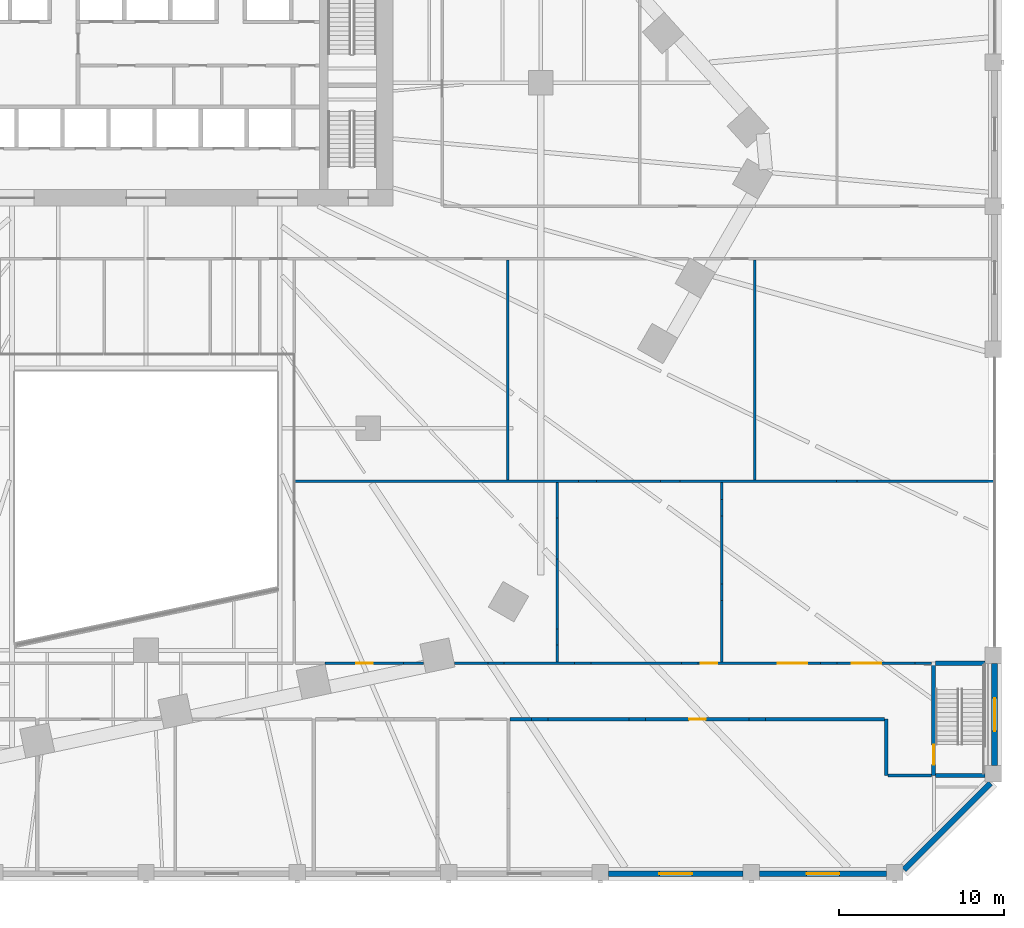
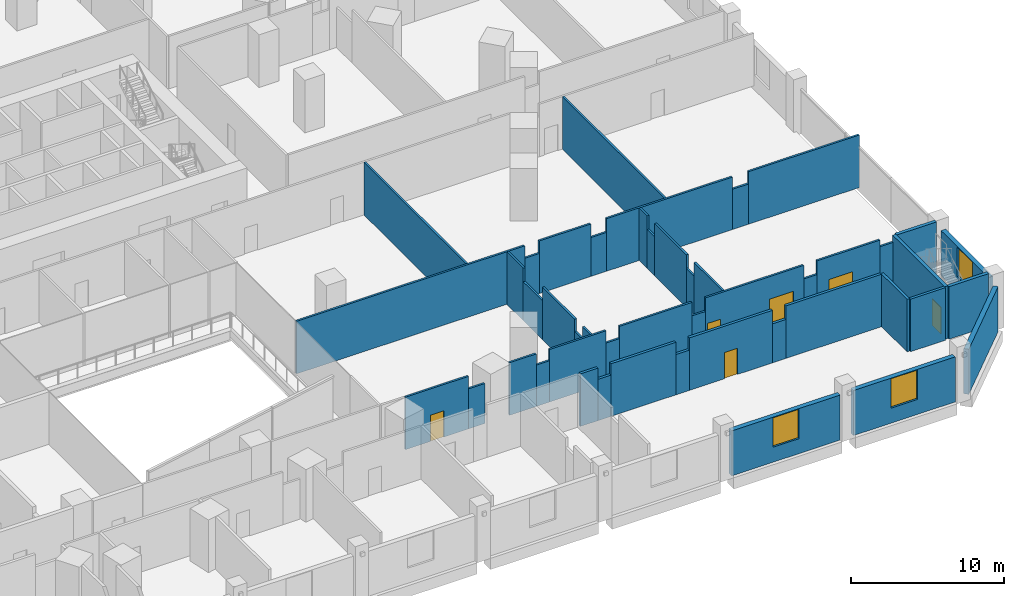
# One storey, part 18 of 33: 47 walls, 6 doors, 3 windows, 9 openings.
"""IFC4 building model written with IfcOpenShell, lengths in metres."""

from ifc_helpers import new_model, si_unit, direction, frame, frame_2d, origin, place, context, subcontext, project, spatial, rectangle, extrude, material, layer, layer_set, type_object, element, fill, save


model = new_model("IFC4")

# Units and contexts
model_context = context("Model", 3, precision=1e-05, world=origin(), true_north=direction((0.0, 1.0)))
body_context = subcontext(model_context, "Body", "Model", "MODEL_VIEW")
ifc_project = project(units=[si_unit("LENGTHUNIT", "METRE"), si_unit("AREAUNIT", "SQUARE_METRE"), si_unit("VOLUMEUNIT", "CUBIC_METRE"), si_unit("PLANEANGLEUNIT", "RADIAN"), si_unit("MASSUNIT", "GRAM", prefix="KILO")], contexts=[model_context])

# Site, building, storey
site_placement = place(None, origin())
site = spatial("IfcSite", under=ifc_project, at=site_placement, CompositionType="ELEMENT")
building_placement = place(site_placement, origin())
building = spatial("IfcBuilding", under=site, at=building_placement, Name="Isthmus Gate Tower", CompositionType="ELEMENT")
storey_placement = place(building_placement, frame((0.0, 0.0, 22.5)))
storey = spatial("IfcBuildingStorey", under=building, at=storey_placement, Name="L03", CompositionType="ELEMENT", Elevation=22.5)

# Walls
ifc_material_1 = material(Name="Concrete f'c 30 MPa", Category="concrete")
ifc_layer_1 = layer(ifc_material_1, 0.199951171875)
ifc_layer_set_1 = layer_set([ifc_layer_1], Name="Fire-rated block wall 200")
wall_type_1 = type_object("IfcWallType", Name="Fire-rated block wall 200", PredefinedType="PARTITIONING", material=ifc_layer_set_1)
wall_1_placement = place(storey_placement, frame((45.10009765625, -34.60009765625, 0.0), z_axis=(0.0, 0.0, 1.0), x_axis=(1.0, 0.0, 0.0)))
element("IfcWall", 1, at=wall_1_placement, inside=storey, type_object=wall_type_1, Name="Fire-rated wall", PredefinedType="PARTITIONING", context=body_context, shape_type="SweptSolid", body=[
    extrude(rectangle(XDim=2.64990234375, YDim=0.199951171875, at=frame_2d((1.324951171875, 0.0))), origin(), (0.0, 0.0, 1.0), 4.199951171875),
])
wall_2_placement = place(storey_placement, frame((22.132080078125, -31.178955078125, 0.0), z_axis=(0.0, 0.0, 1.0), x_axis=(1.0, 0.0, 0.0)))
element("IfcWall", 2, at=wall_2_placement, inside=storey, type_object=wall_type_1, Name="Fire-rated wall", PredefinedType="PARTITIONING", context=body_context, shape_type="SweptSolid", body=[
    extrude(rectangle(XDim=1.309814453125, YDim=0.199951171875, at=frame_2d((0.65478515625, 0.0))), origin(), (0.0, 0.0, 1.0), 4.199951171875),
])
wall_3_placement = place(storey_placement, frame((23.44189453125, -31.178955078125, 0.0), z_axis=(0.0, 0.0, 1.0), x_axis=(1.0, 0.0, 0.0)))
element("IfcWall", 3, at=wall_3_placement, inside=storey, type_object=wall_type_1, Name="Fire-rated wall", PredefinedType="PARTITIONING", context=body_context, shape_type="SweptSolid", body=[
    extrude(rectangle(XDim=1.0, YDim=0.199951171875, at=frame_2d((0.5, 0.0))), origin(), (0.0, 0.0, 1.0), 3.29833984375),
])
wall_4_placement = place(storey_placement, frame((24.44189453125, -31.178955078125, 0.0), z_axis=(0.0, 0.0, 1.0), x_axis=(1.0, 0.0, 0.0)))
element("IfcWall", 4, at=wall_4_placement, inside=storey, type_object=wall_type_1, Name="Fire-rated wall", PredefinedType="PARTITIONING", context=body_context, shape_type="SweptSolid", body=[
    extrude(rectangle(XDim=4.920654296875, YDim=0.199951171875, at=frame_2d((2.46044921875, 0.0))), origin(), (0.0, 0.0, 1.0), 4.199951171875),
])
wall_5_placement = place(storey_placement, frame((29.362548828125, -31.178955078125, 0.0), z_axis=(0.0, 0.0, 1.0), x_axis=(1.0, 0.0, 0.0)))
element("IfcWall", 5, at=wall_5_placement, inside=storey, type_object=wall_type_1, Name="Fire-rated wall", PredefinedType="PARTITIONING", context=body_context, shape_type="SweptSolid", body=[
    extrude(rectangle(XDim=1.0, YDim=0.199951171875, at=frame_2d((0.5, 0.0))), origin(), (0.0, 0.0, 1.0), 3.218994140625),
])

# Wall, opening, door
wall_6_placement = place(storey_placement, frame((30.362548828125, -31.178955078125, 0.0), z_axis=(0.0, 0.0, 1.0), x_axis=(1.0, 0.0, 0.0)))
wall_6 = element("IfcWall", 6, at=wall_6_placement, inside=storey, type_object=wall_type_1, Name="Fire-rated wall", PredefinedType="PARTITIONING", context=body_context, shape_type="SweptSolid", body=[
    extrude(rectangle(XDim=6.296630859375, YDim=0.199951171875, at=frame_2d((3.1484375, 0.0))), origin(), (0.0, 0.0, 1.0), 4.199951171875),
])
opening_1_placement = place(wall_6_placement, frame((2.64990234375, 0.0, 0.0)))
opening_1 = element("IfcOpeningElement", 7, at=opening_1_placement, cuts=wall_6, Name="Opening DP03-53", PredefinedType="OPENING", context=body_context, shape_type="SweptSolid", body=[
    extrude(rectangle(XDim=1.0, YDim=2.10009765625, at=frame_2d((0.5, 1.050048828125))), frame((0.0, 0.10986328125, 0.0), z_axis=(0.0, -1.0, 0.0), x_axis=(1.0, 0.0, 0.0)), (0.0, 0.0, 1.0), 0.219970703125),
])
ifc_material_2 = material(Name="Steel fire door with intumescent seals", Category="steel")
door_type_1 = type_object("IfcDoorType", Name="Fire door 1000 x 2100", OperationType="SINGLE_SWING_LEFT", PredefinedType="DOOR", material=ifc_material_2)
door_1_placement = place(opening_1_placement, origin())
door_1 = element("IfcDoor", 8, at=door_1_placement, inside=storey, type_object=door_type_1, Name="Door DP03-53", OperationType="SINGLE_SWING_LEFT", OverallHeight=2.10009765625, OverallWidth=1.0, PredefinedType="DOOR", context=body_context, shape_type="SweptSolid", body=[
    extrude(rectangle(XDim=1.0, YDim=2.10009765625, at=frame_2d((0.5, 1.050048828125))), frame((0.0, 0.02490234375, 0.0), z_axis=(0.0, -1.0, 0.0), x_axis=(1.0, 0.0, 0.0)), (0.0, 0.0, 1.0), 0.050048828125),
])
fill(opening_1, door_1)

# Walls
wall_7_placement = place(storey_placement, frame((36.6591796875, -31.178955078125, 0.0), z_axis=(0.0, 0.0, 1.0), x_axis=(1.0, 0.0, 0.0)))
element("IfcWall", 9, at=wall_7_placement, inside=storey, type_object=wall_type_1, Name="Fire-rated wall", PredefinedType="PARTITIONING", context=body_context, shape_type="SweptSolid", body=[
    extrude(rectangle(XDim=1.0, YDim=0.199951171875, at=frame_2d((0.5, 0.0))), origin(), (0.0, 0.0, 1.0), 3.111083984375),
])
wall_8_placement = place(storey_placement, frame((37.6591796875, -31.178955078125, 0.0), z_axis=(0.0, 0.0, 1.0), x_axis=(1.0, 0.0, 0.0)))
element("IfcWall", 10, at=wall_8_placement, inside=storey, type_object=wall_type_1, Name="Fire-rated wall", PredefinedType="PARTITIONING", context=body_context, shape_type="SweptSolid", body=[
    extrude(rectangle(XDim=7.24072265625, YDim=0.199951171875, at=frame_2d((3.620361328125, 0.0))), origin(), (0.0, 0.0, 1.0), 4.199951171875),
])
wall_9_placement = place(storey_placement, frame((45.0, -34.60009765625, 0.0), z_axis=(0.0, 0.0, 1.0), x_axis=(0.0, 1.0, 0.0)))
element("IfcWall", 11, at=wall_9_placement, inside=storey, type_object=wall_type_1, Name="Fire-rated wall", PredefinedType="PARTITIONING", context=body_context, shape_type="SweptSolid", body=[
    extrude(rectangle(XDim=3.421142578125, YDim=0.199951171875, at=frame_2d((1.71044921875, 0.0))), origin(), (0.0, 0.0, 1.0), 4.199951171875),
])

# Wall, opening, window
ifc_material_3 = material(Name="Precast concrete C40/50, limestone-faced", Category="masonry")
ifc_layer_2 = layer(ifc_material_3, 0.35009765625)
ifc_layer_set_2 = layer_set([ifc_layer_2], Name="PODIUM CLADDING WALL 350")
wall_type_2 = type_object("IfcWallType", Name="PODIUM CLADDING WALL 350", PredefinedType="SOLIDWALL", material=ifc_layer_set_2)
wall_10_placement = place(storey_placement, frame((28.10009765625, -40.574951171875, -0.300048828125), z_axis=(0.0, 0.0, 1.0), x_axis=(1.0, 0.0, 0.0)))
wall_10 = element("IfcWall", 12, at=wall_10_placement, inside=storey, type_object=wall_type_2, Name="PODIUM WALL", PredefinedType="SOLIDWALL", context=body_context, shape_type="SweptSolid", body=[
    extrude(rectangle(XDim=8.199951171875, YDim=0.35009765625, at=frame_2d((4.10009765625, 0.0))), origin(), (0.0, 0.0, 1.0), 3.60009765625),
])
opening_2_placement = place(wall_10_placement, frame((3.10009765625, 0.0, 1.199951171875)))
opening_2 = element("IfcOpeningElement", 13, at=opening_2_placement, cuts=wall_10, Name="Opening W041", PredefinedType="OPENING", context=body_context, shape_type="SweptSolid", body=[
    extrude(rectangle(XDim=2.0, YDim=2.35009765625, at=frame_2d((1.0, 1.175048828125))), frame((0.0, 0.18505859375, 0.0), z_axis=(0.0, -1.0, 0.0), x_axis=(1.0, 0.0, 0.0)), (0.0, 0.0, 1.0), 0.3701171875),
])
ifc_material_4 = material(Name="Aluminium, pale champagne anodised, laminated glass", Category="aluminium")
window_type = type_object("IfcWindowType", Name="PODIUM SLOT WINDOW 2000 X 2350", PartitioningType="SINGLE_PANEL", PredefinedType="WINDOW", material=ifc_material_4)
window_1_placement = place(opening_2_placement, origin())
window_1 = element("IfcWindow", 14, at=window_1_placement, inside=storey, type_object=window_type, Name="SLOT WINDOW", OverallHeight=2.35009765625, OverallWidth=2.0, PartitioningType="SINGLE_PANEL", PredefinedType="WINDOW", context=body_context, shape_type="SweptSolid", body=[
    extrude(rectangle(XDim=2.0, YDim=2.35009765625, at=frame_2d((1.0, 1.175048828125))), frame((0.0, 0.030029296875, 0.0), z_axis=(0.0, -1.0, 0.0), x_axis=(1.0, 0.0, 0.0)), (0.0, 0.0, 1.0), 0.06005859375),
])
fill(opening_2, window_1)

wall_11_placement = place(storey_placement, frame((37.300048828125, -40.574951171875, -0.300048828125), z_axis=(0.0, 0.0, 1.0), x_axis=(1.0, 0.0, 0.0)))
wall_11 = element("IfcWall", 15, at=wall_11_placement, inside=storey, type_object=wall_type_2, Name="PODIUM WALL", PredefinedType="SOLIDWALL", context=body_context, shape_type="SweptSolid", body=[
    extrude(rectangle(XDim=7.699951171875, YDim=0.35009765625, at=frame_2d((3.85009765625, 0.0))), origin(), (0.0, 0.0, 1.0), 3.60009765625),
])
opening_3_placement = place(wall_11_placement, frame((2.85009765625, 0.0, 1.199951171875)))
opening_3 = element("IfcOpeningElement", 16, at=opening_3_placement, cuts=wall_11, Name="Opening W042", PredefinedType="OPENING", context=body_context, shape_type="SweptSolid", body=[
    extrude(rectangle(XDim=2.0, YDim=2.35009765625, at=frame_2d((1.0, 1.175048828125))), frame((0.0, 0.18505859375, 0.0), z_axis=(0.0, -1.0, 0.0), x_axis=(1.0, 0.0, 0.0)), (0.0, 0.0, 1.0), 0.3701171875),
])
window_2_placement = place(opening_3_placement, origin())
window_2 = element("IfcWindow", 17, at=window_2_placement, inside=storey, type_object=window_type, Name="SLOT WINDOW", OverallHeight=2.35009765625, OverallWidth=2.0, PartitioningType="SINGLE_PANEL", PredefinedType="WINDOW", context=body_context, shape_type="SweptSolid", body=[
    extrude(rectangle(XDim=2.0, YDim=2.35009765625, at=frame_2d((1.0, 1.175048828125))), frame((0.0, 0.030029296875, 0.0), z_axis=(0.0, -1.0, 0.0), x_axis=(1.0, 0.0, 0.0)), (0.0, 0.0, 1.0), 0.06005859375),
])
fill(opening_3, window_2)

# Wall
wall_12_placement = place(storey_placement, frame((46.071533203125, -40.327392578125, -0.300048828125), z_axis=(0.0, 0.0, 1.0), x_axis=(0.707106781187, 0.707106781187, 0.0)))
element("IfcWall", 18, at=wall_12_placement, inside=storey, type_object=wall_type_2, Name="PODIUM WALL", PredefinedType="SOLIDWALL", context=body_context, shape_type="SweptSolid", body=[
    extrude(rectangle(XDim=7.432861328125, YDim=0.35009765625, at=frame_2d((3.71630859375, 0.0))), origin(), (0.0, 0.0, 1.0), 3.60009765625),
])

# Wall, opening, window
wall_13_placement = place(storey_placement, frame((51.574951171875, -34.0, -0.300048828125), z_axis=(0.0, 0.0, 1.0), x_axis=(0.0, 1.0, 0.0)))
wall_13 = element("IfcWall", 19, at=wall_13_placement, inside=storey, type_object=wall_type_2, Name="PODIUM WALL", PredefinedType="SOLIDWALL", context=body_context, shape_type="SweptSolid", body=[
    extrude(rectangle(XDim=6.199951171875, YDim=0.35009765625, at=frame_2d((3.10009765625, 0.0))), origin(), (0.0, 0.0, 1.0), 3.60009765625),
])
opening_4_placement = place(wall_13_placement, frame((2.10009765625, 0.0, 1.199951171875)))
opening_4 = element("IfcOpeningElement", 20, at=opening_4_placement, cuts=wall_13, Name="Opening W043", PredefinedType="OPENING", context=body_context, shape_type="SweptSolid", body=[
    extrude(rectangle(XDim=2.0, YDim=2.35009765625, at=frame_2d((1.0, 1.175048828125))), frame((0.0, 0.18505859375, 0.0), z_axis=(0.0, -1.0, 0.0), x_axis=(1.0, 0.0, 0.0)), (0.0, 0.0, 1.0), 0.3701171875),
])
window_3_placement = place(opening_4_placement, origin())
window_3 = element("IfcWindow", 21, at=window_3_placement, inside=storey, type_object=window_type, Name="SLOT WINDOW", OverallHeight=2.35009765625, OverallWidth=2.0, PartitioningType="SINGLE_PANEL", PredefinedType="WINDOW", context=body_context, shape_type="SweptSolid", body=[
    extrude(rectangle(XDim=2.0, YDim=2.35009765625, at=frame_2d((1.0, 1.175048828125))), frame((0.0, 0.030029296875, 0.0), z_axis=(0.0, -1.0, 0.0), x_axis=(1.0, 0.0, 0.0)), (0.0, 0.0, 1.0), 0.06005859375),
])
fill(opening_4, window_3)

# Wall, opening, door
ifc_material_5 = material(Name="Gypsum board on cold-formed steel studs", Category="steel")
ifc_layer_3 = layer(ifc_material_5, 0.14990234375)
ifc_layer_set_3 = layer_set([ifc_layer_3])
wall_type_3 = type_object("IfcWallType", Name="Partition 150 gypsum board on steel studs", PredefinedType="PARTITIONING", material=ifc_layer_set_3)
wall_14_placement = place(storey_placement, frame((10.88720703125, -27.779052734375, 0.0), z_axis=(0.0, 0.0, 1.0), x_axis=(1.0, 0.0, 0.0)))
wall_14 = element("IfcWall", 22, at=wall_14_placement, inside=storey, type_object=wall_type_3, Name="Partition", PredefinedType="PARTITIONING", context=body_context, shape_type="SweptSolid", body=[
    extrude(rectangle(XDim=4.762451171875, YDim=0.14990234375, at=frame_2d((2.38134765625, 0.0))), origin(), (0.0, 0.0, 1.0), 4.199951171875),
])
opening_5_placement = place(wall_14_placement, frame((1.89990234375, 0.0, 0.0)))
opening_5 = element("IfcOpeningElement", 23, at=opening_5_placement, cuts=wall_14, Name="Opening DP03-23", PredefinedType="OPENING", context=body_context, shape_type="SweptSolid", body=[
    extrude(rectangle(XDim=1.0, YDim=2.10009765625, at=frame_2d((0.5, 1.050048828125))), frame((0.0, 0.0849609375, 0.0), z_axis=(0.0, -1.0, 0.0), x_axis=(1.0, 0.0, 0.0)), (0.0, 0.0, 1.0), 0.169921875),
])
ifc_material_6 = material(Name="Hollow metal frame with solid-core timber leaf", Category="wood")
door_type_2 = type_object("IfcDoorType", Name="Single swing door 1000 x 2100", OperationType="SINGLE_SWING_LEFT", PredefinedType="DOOR", material=ifc_material_6)
door_2_placement = place(opening_5_placement, origin())
door_2 = element("IfcDoor", 24, at=door_2_placement, inside=storey, type_object=door_type_2, Name="Door DP03-23", OperationType="SINGLE_SWING_LEFT", OverallHeight=2.10009765625, OverallWidth=1.0, PredefinedType="DOOR", context=body_context, shape_type="SweptSolid", body=[
    extrude(rectangle(XDim=1.0, YDim=2.10009765625, at=frame_2d((0.5, 1.050048828125))), frame((0.0, 0.02490234375, 0.0), z_axis=(0.0, -1.0, 0.0), x_axis=(1.0, 0.0, 0.0)), (0.0, 0.0, 1.0), 0.050048828125),
])
fill(opening_5, door_2)

# Walls
wall_15_placement = place(storey_placement, frame((15.649658203125, -27.779052734375, 0.0), z_axis=(0.0, 0.0, 1.0), x_axis=(1.0, 0.0, 0.0)))
element("IfcWall", 25, at=wall_15_placement, inside=storey, type_object=wall_type_3, Name="Partition", PredefinedType="PARTITIONING", context=body_context, shape_type="SweptSolid", body=[
    extrude(rectangle(XDim=1.2265625, YDim=0.14990234375, at=frame_2d((0.61328125, 0.0))), origin(), (0.0, 0.0, 1.0), 3.199951171875),
])
wall_16_placement = place(storey_placement, frame((18.748291015625, -27.779052734375, 0.0), z_axis=(0.0, 0.0, 1.0), x_axis=(1.0, 0.0, 0.0)))
element("IfcWall", 26, at=wall_16_placement, inside=storey, type_object=wall_type_3, Name="Partition", PredefinedType="PARTITIONING", context=body_context, shape_type="SweptSolid", body=[
    extrude(rectangle(XDim=2.0244140625, YDim=0.14990234375, at=frame_2d((1.01220703125, 0.0))), origin(), (0.0, 0.0, 1.0), 4.199951171875),
])
wall_17_placement = place(storey_placement, frame((20.772705078125, -27.779052734375, 0.0), z_axis=(0.0, 0.0, 1.0), x_axis=(1.0, 0.0, 0.0)))
element("IfcWall", 27, at=wall_17_placement, inside=storey, type_object=wall_type_3, Name="Partition", PredefinedType="PARTITIONING", context=body_context, shape_type="SweptSolid", body=[
    extrude(rectangle(XDim=1.0, YDim=0.14990234375, at=frame_2d((0.5, 0.0))), origin(), (0.0, 0.0, 1.0), 3.29833984375),
])
wall_18_placement = place(storey_placement, frame((21.772705078125, -27.779052734375, 0.0), z_axis=(0.0, 0.0, 1.0), x_axis=(1.0, 0.0, 0.0)))
element("IfcWall", 28, at=wall_18_placement, inside=storey, type_object=wall_type_3, Name="Partition", PredefinedType="PARTITIONING", context=body_context, shape_type="SweptSolid", body=[
    extrude(rectangle(XDim=4.279296875, YDim=0.14990234375, at=frame_2d((2.1396484375, 0.0))), origin(), (0.0, 0.0, 1.0), 4.199951171875),
])
wall_19_placement = place(storey_placement, frame((26.052001953125, -27.779052734375, 0.0), z_axis=(0.0, 0.0, 1.0), x_axis=(1.0, 0.0, 0.0)))
element("IfcWall", 29, at=wall_19_placement, inside=storey, type_object=wall_type_3, Name="Partition", PredefinedType="PARTITIONING", context=body_context, shape_type="SweptSolid", body=[
    extrude(rectangle(XDim=1.0, YDim=0.14990234375, at=frame_2d((0.5, 0.0))), origin(), (0.0, 0.0, 1.0), 3.218994140625),
])
wall_20_placement = place(storey_placement, frame((27.052001953125, -27.779052734375, 0.0), z_axis=(0.0, 0.0, 1.0), x_axis=(1.0, 0.0, 0.0)))
element("IfcWall", 30, at=wall_20_placement, inside=storey, type_object=wall_type_3, Name="Partition", PredefinedType="PARTITIONING", context=body_context, shape_type="SweptSolid", body=[
    extrude(rectangle(XDim=5.506103515625, YDim=0.14990234375, at=frame_2d((2.7529296875, 0.0))), origin(), (0.0, 0.0, 1.0), 4.199951171875),
])
wall_21_placement = place(storey_placement, frame((32.55810546875, -27.779052734375, 0.0), z_axis=(0.0, 0.0, 1.0), x_axis=(1.0, 0.0, 0.0)))
element("IfcWall", 31, at=wall_21_placement, inside=storey, type_object=wall_type_3, Name="Partition", PredefinedType="PARTITIONING", context=body_context, shape_type="SweptSolid", body=[
    extrude(rectangle(XDim=1.0, YDim=0.14990234375, at=frame_2d((0.5, 0.0))), origin(), (0.0, 0.0, 1.0), 3.111083984375),
])

# Wall, openings, doors
wall_22_placement = place(storey_placement, frame((33.55810546875, -27.779052734375, 0.0), z_axis=(0.0, 0.0, 1.0), x_axis=(1.0, 0.0, 0.0)))
wall_22 = element("IfcWall", 32, at=wall_22_placement, inside=storey, type_object=wall_type_3, Name="Partition", PredefinedType="PARTITIONING", context=body_context, shape_type="SweptSolid", body=[
    extrude(rectangle(XDim=7.43212890625, YDim=0.14990234375, at=frame_2d((3.716064453125, 0.0))), origin(), (0.0, 0.0, 1.0), 4.199951171875),
])
opening_6_placement = place(wall_22_placement, frame((0.14990234375, 0.0, 0.0)))
opening_6 = element("IfcOpeningElement", 33, at=opening_6_placement, cuts=wall_22, Name="Opening DP03-24", PredefinedType="OPENING", context=body_context, shape_type="SweptSolid", body=[
    extrude(rectangle(XDim=1.0, YDim=2.10009765625, at=frame_2d((0.5, 1.050048828125))), frame((0.0, 0.0849609375, 0.0), z_axis=(0.0, -1.0, 0.0), x_axis=(1.0, 0.0, 0.0)), (0.0, 0.0, 1.0), 0.169921875),
])
opening_7_placement = place(wall_22_placement, frame((4.841796875, 0.0, 0.0)))
opening_7 = element("IfcOpeningElement", 34, at=opening_7_placement, cuts=wall_22, Name="Opening DP03-25", PredefinedType="OPENING", context=body_context, shape_type="SweptSolid", body=[
    extrude(rectangle(XDim=1.800048828125, YDim=2.39990234375, at=frame_2d((0.89990234375, 1.199951171875))), frame((0.0, 0.0849609375, 0.0), z_axis=(0.0, -1.0, 0.0), x_axis=(1.0, 0.0, 0.0)), (0.0, 0.0, 1.0), 0.169921875),
])
ifc_material_7 = material(Name="Hollow metal frame with solid-core timber leaves", Category="wood")
door_type_3 = type_object("IfcDoorType", Name="Double swing door 1800 x 2400", OperationType="DOUBLE_DOOR_SINGLE_SWING", PredefinedType="DOOR", material=ifc_material_7)
door_3_placement = place(opening_7_placement, origin())
door_3 = element("IfcDoor", 35, at=door_3_placement, inside=storey, type_object=door_type_3, Name="Door DP03-25", OperationType="SINGLE_SWING_LEFT", OverallHeight=2.39990234375, OverallWidth=1.800048828125, PredefinedType="DOOR", context=body_context, shape_type="SweptSolid", body=[
    extrude(rectangle(XDim=1.800048828125, YDim=2.39990234375, at=frame_2d((0.89990234375, 1.199951171875))), frame((0.0, 0.02490234375, 0.0), z_axis=(0.0, -1.0, 0.0), x_axis=(1.0, 0.0, 0.0)), (0.0, 0.0, 1.0), 0.050048828125),
])
fill(opening_7, door_3)
door_4_placement = place(opening_6_placement, origin())
door_4 = element("IfcDoor", 36, at=door_4_placement, inside=storey, type_object=door_type_2, Name="Door DP03-24", OperationType="SINGLE_SWING_LEFT", OverallHeight=2.10009765625, OverallWidth=1.0, PredefinedType="DOOR", context=body_context, shape_type="SweptSolid", body=[
    extrude(rectangle(XDim=1.0, YDim=2.10009765625, at=frame_2d((0.5, 1.050048828125))), frame((0.0, 0.02490234375, 0.0), z_axis=(0.0, -1.0, 0.0), x_axis=(1.0, 0.0, 0.0)), (0.0, 0.0, 1.0), 0.050048828125),
])
fill(opening_6, door_4)

# Wall
wall_23_placement = place(storey_placement, frame((40.990234375, -27.779052734375, 0.0), z_axis=(0.0, 0.0, 1.0), x_axis=(1.0, 0.0, 0.0)))
element("IfcWall", 37, at=wall_23_placement, inside=storey, type_object=wall_type_3, Name="Partition", PredefinedType="PARTITIONING", context=body_context, shape_type="SweptSolid", body=[
    extrude(rectangle(XDim=1.0, YDim=0.14990234375, at=frame_2d((0.5, 0.0))), origin(), (0.0, 0.0, 1.0), 3.111083984375),
])

# Wall, opening, door
wall_24_placement = place(storey_placement, frame((41.990234375, -27.779052734375, 0.0), z_axis=(0.0, 0.0, 1.0), x_axis=(1.0, 0.0, 0.0)))
wall_24 = element("IfcWall", 38, at=wall_24_placement, inside=storey, type_object=wall_type_3, Name="Partition", PredefinedType="PARTITIONING", context=body_context, shape_type="SweptSolid", body=[
    extrude(rectangle(XDim=4.759765625, YDim=0.14990234375, at=frame_2d((2.3798828125, 0.0))), origin(), (0.0, 0.0, 1.0), 4.199951171875),
])
opening_8_placement = place(wall_24_placement, frame((0.89990234375, 0.0, 0.0)))
opening_8 = element("IfcOpeningElement", 39, at=opening_8_placement, cuts=wall_24, Name="Opening DP03-26", PredefinedType="OPENING", context=body_context, shape_type="SweptSolid", body=[
    extrude(rectangle(XDim=1.800048828125, YDim=2.39990234375, at=frame_2d((0.89990234375, 1.199951171875))), frame((0.0, 0.0849609375, 0.0), z_axis=(0.0, -1.0, 0.0), x_axis=(1.0, 0.0, 0.0)), (0.0, 0.0, 1.0), 0.169921875),
])
door_5_placement = place(opening_8_placement, origin())
door_5 = element("IfcDoor", 40, at=door_5_placement, inside=storey, type_object=door_type_3, Name="Door DP03-26", OperationType="SINGLE_SWING_LEFT", OverallHeight=2.39990234375, OverallWidth=1.800048828125, PredefinedType="DOOR", context=body_context, shape_type="SweptSolid", body=[
    extrude(rectangle(XDim=1.800048828125, YDim=2.39990234375, at=frame_2d((0.89990234375, 1.199951171875))), frame((0.0, 0.02490234375, 0.0), z_axis=(0.0, -1.0, 0.0), x_axis=(1.0, 0.0, 0.0)), (0.0, 0.0, 1.0), 0.050048828125),
])
fill(opening_8, door_5)

# Walls
wall_25_placement = place(storey_placement, frame((46.75, -27.779052734375, 0.0), z_axis=(0.0, 0.0, 1.0), x_axis=(1.0, 0.0, 0.0)))
element("IfcWall", 41, at=wall_25_placement, inside=storey, type_object=wall_type_3, Name="Partition", PredefinedType="PARTITIONING", context=body_context, shape_type="SweptSolid", body=[
    extrude(rectangle(XDim=1.0, YDim=0.14990234375, at=frame_2d((0.5, 0.0))), origin(), (0.0, 0.0, 1.0), 3.66650390625),
])
wall_26_placement = place(storey_placement, frame((9.030029296875, -16.718017578125, 0.0), z_axis=(0.0, 0.0, 1.0), x_axis=(1.0, 0.0, 0.0)))
element("IfcWall", 42, at=wall_26_placement, inside=storey, type_object=wall_type_3, Name="Partition", PredefinedType="PARTITIONING", context=body_context, shape_type="SweptSolid", body=[
    extrude(rectangle(XDim=17.2578125, YDim=0.14990234375, at=frame_2d((8.62890625, 0.0))), origin(), (0.0, 0.0, 1.0), 4.199951171875),
])
wall_27_placement = place(storey_placement, frame((26.287841796875, -16.718017578125, 0.0), z_axis=(0.0, 0.0, 1.0), x_axis=(1.0, 0.0, 0.0)))
element("IfcWall", 43, at=wall_27_placement, inside=storey, type_object=wall_type_3, Name="Partition", PredefinedType="PARTITIONING", context=body_context, shape_type="SweptSolid", body=[
    extrude(rectangle(XDim=1.09716796875, YDim=0.14990234375, at=frame_2d((0.548583984375, 0.0))), origin(), (0.0, 0.0, 1.0), 3.199951171875),
])
wall_28_placement = place(storey_placement, frame((27.385009765625, -16.718017578125, 0.0), z_axis=(0.0, 0.0, 1.0), x_axis=(1.0, 0.0, 0.0)))
element("IfcWall", 44, at=wall_28_placement, inside=storey, type_object=wall_type_3, Name="Partition", PredefinedType="PARTITIONING", context=body_context, shape_type="SweptSolid", body=[
    extrude(rectangle(XDim=3.894287109375, YDim=0.14990234375, at=frame_2d((1.947265625, 0.0))), origin(), (0.0, 0.0, 1.0), 4.199951171875),
])
wall_29_placement = place(storey_placement, frame((31.279296875, -16.718017578125, 0.0), z_axis=(0.0, 0.0, 1.0), x_axis=(1.0, 0.0, 0.0)))
element("IfcWall", 45, at=wall_29_placement, inside=storey, type_object=wall_type_3, Name="Partition", PredefinedType="PARTITIONING", context=body_context, shape_type="SweptSolid", body=[
    extrude(rectangle(XDim=1.19287109375, YDim=0.14990234375, at=frame_2d((0.596435546875, 0.0))), origin(), (0.0, 0.0, 1.0), 3.111083984375),
])
wall_30_placement = place(storey_placement, frame((32.47216796875, -16.718017578125, 0.0), z_axis=(0.0, 0.0, 1.0), x_axis=(1.0, 0.0, 0.0)))
element("IfcWall", 46, at=wall_30_placement, inside=storey, type_object=wall_type_3, Name="Partition", PredefinedType="PARTITIONING", context=body_context, shape_type="SweptSolid", body=[
    extrude(rectangle(XDim=9.504150390625, YDim=0.14990234375, at=frame_2d((4.751953125, 0.0))), origin(), (0.0, 0.0, 1.0), 4.199951171875),
])
wall_31_placement = place(storey_placement, frame((41.976318359375, -16.718017578125, 0.0), z_axis=(0.0, 0.0, 1.0), x_axis=(1.0, 0.0, 0.0)))
element("IfcWall", 47, at=wall_31_placement, inside=storey, type_object=wall_type_3, Name="Partition", PredefinedType="PARTITIONING", context=body_context, shape_type="SweptSolid", body=[
    extrude(rectangle(XDim=1.231201171875, YDim=0.14990234375, at=frame_2d((0.61572265625, 0.0))), origin(), (0.0, 0.0, 1.0), 3.218994140625),
])
wall_32_placement = place(storey_placement, frame((43.20751953125, -16.718017578125, 0.0), z_axis=(0.0, 0.0, 1.0), x_axis=(1.0, 0.0, 0.0)))
element("IfcWall", 48, at=wall_32_placement, inside=storey, type_object=wall_type_3, Name="Partition", PredefinedType="PARTITIONING", context=body_context, shape_type="SweptSolid", body=[
    extrude(rectangle(XDim=8.362548828125, YDim=0.14990234375, at=frame_2d((4.18115234375, 0.0))), origin(), (0.0, 0.0, 1.0), 4.199951171875),
])
wall_33_placement = place(storey_placement, frame((22.0, -16.64306640625, 0.0), z_axis=(0.0, 0.0, 1.0), x_axis=(0.0, 1.0, 0.0)))
element("IfcWall", 49, at=wall_33_placement, inside=storey, type_object=wall_type_3, Name="Partition", PredefinedType="PARTITIONING", context=body_context, shape_type="SweptSolid", body=[
    extrude(rectangle(XDim=13.3681640625, YDim=0.14990234375, at=frame_2d((6.68408203125, 0.0))), origin(), (0.0, 0.0, 1.0), 4.199951171875),
])
wall_34_placement = place(storey_placement, frame((25.0, -27.7041015625, 0.0), z_axis=(0.0, 0.0, 1.0), x_axis=(0.0, 1.0, 0.0)))
element("IfcWall", 50, at=wall_34_placement, inside=storey, type_object=wall_type_3, Name="Partition", PredefinedType="PARTITIONING", context=body_context, shape_type="SweptSolid", body=[
    extrude(rectangle(XDim=1.018798828125, YDim=0.14990234375, at=frame_2d((0.50927734375, 0.0))), origin(), (0.0, 0.0, 1.0), 4.199951171875),
])
wall_35_placement = place(storey_placement, frame((25.0, -26.685302734375, 0.0), z_axis=(0.0, 0.0, 1.0), x_axis=(0.0, 1.0, 0.0)))
element("IfcWall", 51, at=wall_35_placement, inside=storey, type_object=wall_type_3, Name="Partition", PredefinedType="PARTITIONING", context=body_context, shape_type="SweptSolid", body=[
    extrude(rectangle(XDim=1.0, YDim=0.14990234375, at=frame_2d((0.5, 0.0))), origin(), (0.0, 0.0, 1.0), 3.218994140625),
])
wall_36_placement = place(storey_placement, frame((25.0, -25.685302734375, 0.0), z_axis=(0.0, 0.0, 1.0), x_axis=(0.0, 1.0, 0.0)))
element("IfcWall", 52, at=wall_36_placement, inside=storey, type_object=wall_type_3, Name="Partition", PredefinedType="PARTITIONING", context=body_context, shape_type="SweptSolid", body=[
    extrude(rectangle(XDim=4.229736328125, YDim=0.14990234375, at=frame_2d((2.11474609375, 0.0))), origin(), (0.0, 0.0, 1.0), 4.199951171875),
])
wall_37_placement = place(storey_placement, frame((25.0, -21.45556640625, 0.0), z_axis=(0.0, 0.0, 1.0), x_axis=(0.0, 1.0, 0.0)))
element("IfcWall", 53, at=wall_37_placement, inside=storey, type_object=wall_type_3, Name="Partition", PredefinedType="PARTITIONING", context=body_context, shape_type="SweptSolid", body=[
    extrude(rectangle(XDim=2.5068359375, YDim=0.14990234375, at=frame_2d((1.25341796875, 0.0))), origin(), (0.0, 0.0, 1.0), 3.111083984375),
])
wall_38_placement = place(storey_placement, frame((25.0, -18.94873046875, 0.0), z_axis=(0.0, 0.0, 1.0), x_axis=(0.0, 1.0, 0.0)))
element("IfcWall", 54, at=wall_38_placement, inside=storey, type_object=wall_type_3, Name="Partition", PredefinedType="PARTITIONING", context=body_context, shape_type="SweptSolid", body=[
    extrude(rectangle(XDim=2.15576171875, YDim=0.14990234375, at=frame_2d((1.077880859375, 0.0))), origin(), (0.0, 0.0, 1.0), 4.199951171875),
])
wall_39_placement = place(storey_placement, frame((35.0, -27.7041015625, 0.0), z_axis=(0.0, 0.0, 1.0), x_axis=(0.0, 1.0, 0.0)))
element("IfcWall", 55, at=wall_39_placement, inside=storey, type_object=wall_type_3, Name="Partition", PredefinedType="PARTITIONING", context=body_context, shape_type="SweptSolid", body=[
    extrude(rectangle(XDim=3.730712890625, YDim=0.14990234375, at=frame_2d((1.865234375, 0.0))), origin(), (0.0, 0.0, 1.0), 4.199951171875),
])
wall_40_placement = place(storey_placement, frame((35.0, -23.973388671875, 0.0), z_axis=(0.0, 0.0, 1.0), x_axis=(0.0, 1.0, 0.0)))
element("IfcWall", 56, at=wall_40_placement, inside=storey, type_object=wall_type_3, Name="Partition", PredefinedType="PARTITIONING", context=body_context, shape_type="SweptSolid", body=[
    extrude(rectangle(XDim=1.0, YDim=0.14990234375, at=frame_2d((0.5, 0.0))), origin(), (0.0, 0.0, 1.0), 3.111083984375),
])
wall_41_placement = place(storey_placement, frame((35.0, -22.973388671875, 0.0), z_axis=(0.0, 0.0, 1.0), x_axis=(0.0, 1.0, 0.0)))
element("IfcWall", 57, at=wall_41_placement, inside=storey, type_object=wall_type_3, Name="Partition", PredefinedType="PARTITIONING", context=body_context, shape_type="SweptSolid", body=[
    extrude(rectangle(XDim=4.132080078125, YDim=0.14990234375, at=frame_2d((2.06591796875, 0.0))), origin(), (0.0, 0.0, 1.0), 4.199951171875),
])
wall_42_placement = place(storey_placement, frame((35.0, -18.84130859375, 0.0), z_axis=(0.0, 0.0, 1.0), x_axis=(0.0, 1.0, 0.0)))
element("IfcWall", 58, at=wall_42_placement, inside=storey, type_object=wall_type_3, Name="Partition", PredefinedType="PARTITIONING", context=body_context, shape_type="SweptSolid", body=[
    extrude(rectangle(XDim=1.0, YDim=0.14990234375, at=frame_2d((0.5, 0.0))), origin(), (0.0, 0.0, 1.0), 3.111083984375),
])
wall_43_placement = place(storey_placement, frame((35.0, -17.84130859375, 0.0), z_axis=(0.0, 0.0, 1.0), x_axis=(0.0, 1.0, 0.0)))
element("IfcWall", 59, at=wall_43_placement, inside=storey, type_object=wall_type_3, Name="Partition", PredefinedType="PARTITIONING", context=body_context, shape_type="SweptSolid", body=[
    extrude(rectangle(XDim=1.04833984375, YDim=0.14990234375, at=frame_2d((0.524169921875, 0.0))), origin(), (0.0, 0.0, 1.0), 4.199951171875),
])
wall_44_placement = place(storey_placement, frame((37.0, -16.64306640625, 0.0), z_axis=(0.0, 0.0, 1.0), x_axis=(0.0, 1.0, 0.0)))
element("IfcWall", 60, at=wall_44_placement, inside=storey, type_object=wall_type_3, Name="Partition", PredefinedType="PARTITIONING", context=body_context, shape_type="SweptSolid", body=[
    extrude(rectangle(XDim=13.3681640625, YDim=0.14990234375, at=frame_2d((6.68408203125, 0.0))), origin(), (0.0, 0.0, 1.0), 4.199951171875),
])
ifc_material_8 = material(Name="Concrete f'c 40 MPa", Category="concrete")
ifc_layer_4 = layer(ifc_material_8, 0.25)
ifc_layer_set_4 = layer_set([ifc_layer_4])
wall_type_4 = type_object("IfcWallType", Name="Stair shaft wall 250 reinforced concrete", PredefinedType="SHEAR", material=ifc_layer_set_4)
for number, where, z_axis, x_axis, name in (
    (61, (48.0, -34.60009765625, 0.0), (0.0, 0.0, 1.0), (1.0, 0.0, 0.0), "Stair shaft wall"),
    (62, (48.0, -27.779052734375, 0.0), (0.0, 0.0, 1.0), (1.0, 0.0, 0.0), "Stair shaft wall"),
):
    element("IfcWall", number, at=place(storey_placement, frame(where, z_axis=z_axis, x_axis=x_axis)), inside=storey, type_object=wall_type_4, Name=name, PredefinedType="SHEAR", context=body_context, shape_type="SweptSolid", body=[
        extrude(rectangle(XDim=3.0, YDim=0.25, at=frame_2d((1.5, 0.0))), origin(), (0.0, 0.0, 1.0), 4.199951171875),
    ])

# Wall, opening, door
wall_45_placement = place(storey_placement, frame((47.875, -34.60009765625, 0.0), z_axis=(0.0, 0.0, 1.0), x_axis=(0.0, 1.0, 0.0)))
wall_45 = element("IfcWall", 63, at=wall_45_placement, inside=storey, type_object=wall_type_4, Name="Stair shaft wall", PredefinedType="SHEAR", context=body_context, shape_type="SweptSolid", body=[
    extrude(rectangle(XDim=6.821044921875, YDim=0.25, at=frame_2d((3.41064453125, 0.0))), origin(), (0.0, 0.0, 1.0), 4.199951171875),
])
opening_9_placement = place(wall_45_placement, frame((0.64990234375, 0.0, 0.0)))
opening_9 = element("IfcOpeningElement", 64, at=opening_9_placement, cuts=wall_45, Name="Opening DP03-08", PredefinedType="OPENING", context=body_context, shape_type="SweptSolid", body=[
    extrude(rectangle(XDim=1.199951171875, YDim=2.10009765625, at=frame_2d((0.60009765625, 1.050048828125))), frame((0.0, 0.135009765625, 0.0), z_axis=(0.0, -1.0, 0.0), x_axis=(1.0, 0.0, 0.0)), (0.0, 0.0, 1.0), 0.27001953125),
])
ifc_material_9 = material(Name="Steel fire door with intumescent seals", Category="steel")
door_type_4 = type_object("IfcDoorType", Name="Fire door 1200 x 2100", OperationType="SINGLE_SWING_LEFT", PredefinedType="DOOR", material=ifc_material_9)
door_6_placement = place(opening_9_placement, origin())
door_6 = element("IfcDoor", 65, at=door_6_placement, inside=storey, type_object=door_type_4, Name="Door DP03-08", OperationType="SINGLE_SWING_LEFT", OverallHeight=2.10009765625, OverallWidth=1.199951171875, PredefinedType="DOOR", context=body_context, shape_type="SweptSolid", body=[
    extrude(rectangle(XDim=1.199951171875, YDim=2.10009765625, at=frame_2d((0.60009765625, 1.050048828125))), frame((0.0, 0.02490234375, 0.0), z_axis=(0.0, -1.0, 0.0), x_axis=(1.0, 0.0, 0.0)), (0.0, 0.0, 1.0), 0.050048828125),
])
fill(opening_9, door_6)

save(model, "model.ifc")
